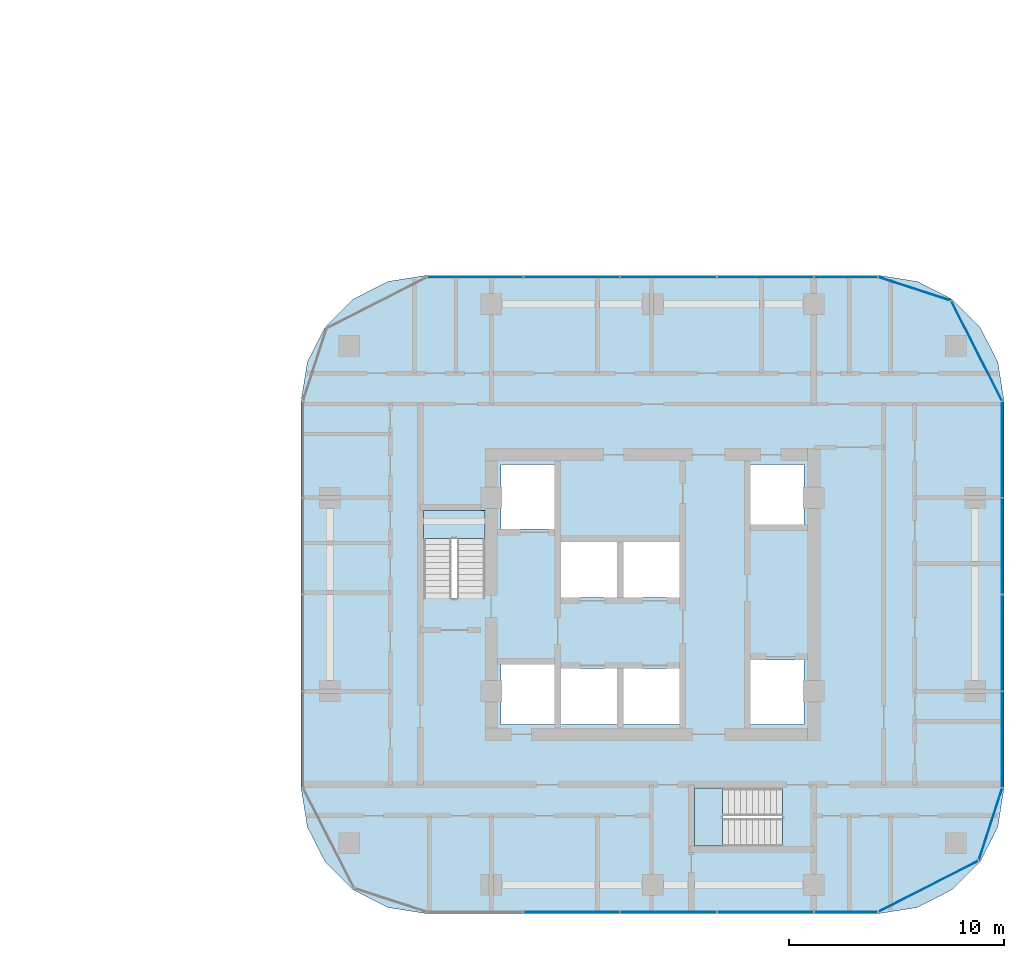
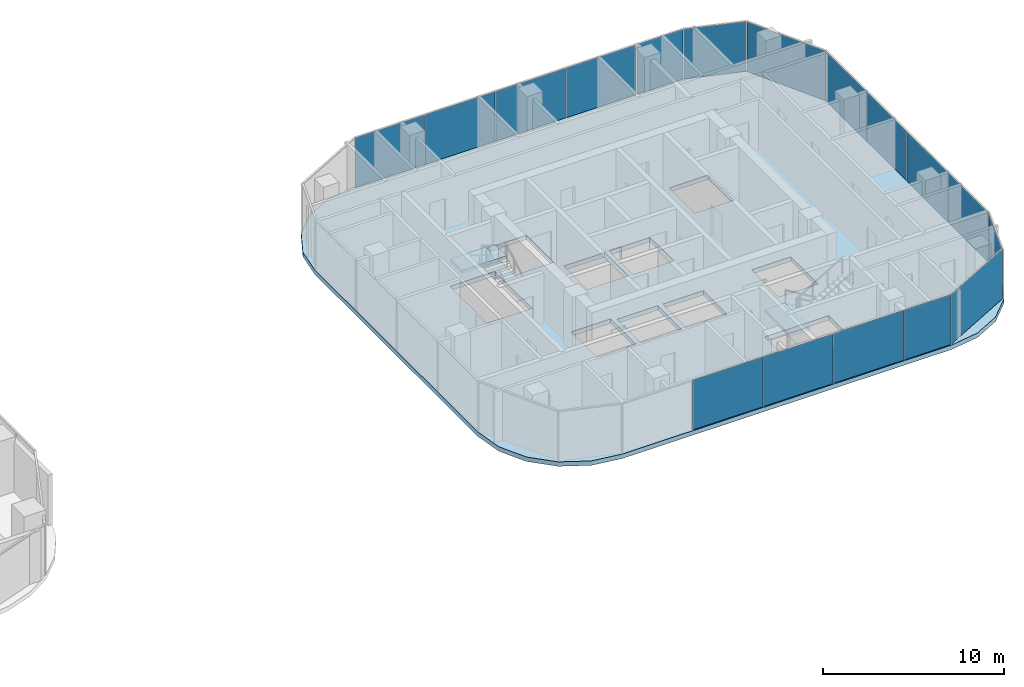
# One storey, part 17 of 36: 17 plates, 3 slabs, 7 elements without a shape of their own.
"""IFC4 building model written with IfcOpenShell, lengths in metres."""

from ifc_helpers import new_model, si_unit, direction, frame, origin, origin_2d, place, context, subcontext, project, spatial, polyline, rectangle, outline, extrude, material, layer, layer_set, type_object, element, aggregate, save


model = new_model("IFC4")

# Units and contexts
model_context = context("Model", 3, precision=1e-05, world=origin(), true_north=direction((0.0, 1.0)))
body_context = subcontext(model_context, "Body", "Model", "MODEL_VIEW")
ifc_project = project(units=[si_unit("LENGTHUNIT", "METRE"), si_unit("AREAUNIT", "SQUARE_METRE"), si_unit("VOLUMEUNIT", "CUBIC_METRE"), si_unit("PLANEANGLEUNIT", "RADIAN"), si_unit("MASSUNIT", "GRAM", prefix="KILO")], contexts=[model_context])

# Site, building, storey
site_placement = place(None, origin())
site = spatial("IfcSite", under=ifc_project, at=site_placement, CompositionType="ELEMENT")
building_placement = place(site_placement, origin())
building = spatial("IfcBuilding", under=site, at=building_placement, Name="Ogive Portal Towers", CompositionType="ELEMENT")
storey_placement = place(building_placement, frame((0.0, 0.0, 48.300048828125)))
storey = spatial("IfcBuildingStorey", under=building, at=storey_placement, Name="L10", CompositionType="ELEMENT", Elevation=48.300048828125)

# Curtain wall, plates
ifc_material_1 = material(Name="Glass, clear low-iron insulated glazing", Category="glass")
curtain_wall_type = type_object("IfcCurtainWallType", Name="CW RESIDENCES RIBBON", PredefinedType="NOTDEFINED", material=ifc_material_1)
curtain_wall_1_placement = place(storey_placement, origin())
curtain_wall_1 = element("IfcCurtainWall", 1, at=curtain_wall_1_placement, inside=storey, type_object=curtain_wall_type, Name="B:L10:f02:cw0", PredefinedType="NOTDEFINED")
ifc_layer_1 = layer(ifc_material_1, 0.028076171875)
ifc_layer_set_1 = layer_set([ifc_layer_1], Name="CW PANEL IGU 28")
plate_type = type_object("IfcPlateType", Name="CW PANEL IGU 28", PredefinedType="CURTAIN_PANEL", material=ifc_layer_set_1)
plate_1_placement = place(storey_placement, frame((132.75, 16.2451171875, 0.0), z_axis=(0.0, 0.0, 1.0), x_axis=(1.0, 0.0, 0.0)))
plate_1 = element("IfcPlate", 2, at=plate_1_placement, type_object=plate_type, Name="panel", PredefinedType="CURTAIN_PANEL", context=body_context, shape_type="SweptSolid", body=[
    extrude(rectangle(XDim=4.43994140625, YDim=0.028076171875, at=origin_2d()), origin(), (0.0, 0.0, 1.0), 3.340087890625),
])
plate_2_placement = place(storey_placement, frame((137.25, 16.2451171875, 0.0), z_axis=(0.0, 0.0, 1.0), x_axis=(1.0, 0.0, 0.0)))
plate_2 = element("IfcPlate", 3, at=plate_2_placement, type_object=plate_type, Name="panel", PredefinedType="CURTAIN_PANEL", context=body_context, shape_type="SweptSolid", body=[
    extrude(rectangle(XDim=4.43994140625, YDim=0.028076171875, at=origin_2d()), origin(), (0.0, 0.0, 1.0), 3.340087890625),
])
plate_3_placement = place(storey_placement, frame((141.75, 16.2451171875, 0.0), z_axis=(0.0, 0.0, 1.0), x_axis=(1.0, 0.0, 0.0)))
plate_3 = element("IfcPlate", 4, at=plate_3_placement, type_object=plate_type, Name="panel", PredefinedType="CURTAIN_PANEL", context=body_context, shape_type="SweptSolid", body=[
    extrude(rectangle(XDim=4.43994140625, YDim=0.028076171875, at=origin_2d()), origin(), (0.0, 0.0, 1.0), 3.340087890625),
])
plate_4_placement = place(storey_placement, frame((145.490478515625, 16.2451171875, 0.0), z_axis=(0.0, 0.0, 1.0), x_axis=(1.0, 0.0, 0.0)))
plate_4 = element("IfcPlate", 5, at=plate_4_placement, type_object=plate_type, Name="panel", PredefinedType="CURTAIN_PANEL", context=body_context, shape_type="SweptSolid", body=[
    extrude(rectangle(XDim=2.9208984375, YDim=0.028076171875, at=origin_2d()), origin(), (0.0, 0.0, 1.0), 3.340087890625),
])
aggregate(curtain_wall_1, [plate_1, plate_2, plate_3, plate_4])

curtain_wall_2_placement = place(storey_placement, origin())
curtain_wall_2 = element("IfcCurtainWall", 6, at=curtain_wall_2_placement, inside=storey, type_object=curtain_wall_type, Name="B:L10:f05:cw0", PredefinedType="NOTDEFINED")
plate_5_placement = place(storey_placement, frame((152.7548828125, 24.25634765625, 0.0), z_axis=(0.0, 0.0, 1.0), x_axis=(0.0, 1.0, 0.0)))
plate_5 = element("IfcPlate", 7, at=plate_5_placement, type_object=plate_type, Name="panel", PredefinedType="CURTAIN_PANEL", context=body_context, shape_type="SweptSolid", body=[
    extrude(rectangle(XDim=4.42724609375, YDim=0.028076171875, at=origin_2d()), origin(), (0.0, 0.0, 1.0), 3.340087890625),
])
plate_6_placement = place(storey_placement, frame((152.7548828125, 28.75, 0.0), z_axis=(0.0, 0.0, 1.0), x_axis=(0.0, 1.0, 0.0)))
plate_6 = element("IfcPlate", 8, at=plate_6_placement, type_object=plate_type, Name="panel", PredefinedType="CURTAIN_PANEL", context=body_context, shape_type="SweptSolid", body=[
    extrude(rectangle(XDim=4.43994140625, YDim=0.028076171875, at=origin_2d()), origin(), (0.0, 0.0, 1.0), 3.340087890625),
])
plate_7_placement = place(storey_placement, frame((152.7548828125, 33.25, 0.0), z_axis=(0.0, 0.0, 1.0), x_axis=(0.0, 1.0, 0.0)))
plate_7 = element("IfcPlate", 9, at=plate_7_placement, type_object=plate_type, Name="panel", PredefinedType="CURTAIN_PANEL", context=body_context, shape_type="SweptSolid", body=[
    extrude(rectangle(XDim=4.43994140625, YDim=0.028076171875, at=origin_2d()), origin(), (0.0, 0.0, 1.0), 3.340087890625),
])
plate_8_placement = place(storey_placement, frame((152.7548828125, 37.740478515625, 0.0), z_axis=(0.0, 0.0, 1.0), x_axis=(0.0, 1.0, 0.0)))
plate_8 = element("IfcPlate", 10, at=plate_8_placement, type_object=plate_type, Name="panel", PredefinedType="CURTAIN_PANEL", context=body_context, shape_type="SweptSolid", body=[
    extrude(rectangle(XDim=4.4208984375, YDim=0.028076171875, at=origin_2d()), origin(), (0.0, 0.0, 1.0), 3.340087890625),
])
aggregate(curtain_wall_2, [plate_5, plate_6, plate_7, plate_8])

curtain_wall_3_placement = place(storey_placement, origin())
curtain_wall_3 = element("IfcCurtainWall", 11, at=curtain_wall_3_placement, inside=storey, type_object=curtain_wall_type, Name="B:L10:f08:cw0", PredefinedType="NOTDEFINED")
plate_9_placement = place(storey_placement, frame((145.49365234375, 45.7548828125, 0.0), z_axis=(0.0, 0.0, 1.0), x_axis=(-1.0, 0.0, 0.0)))
plate_9 = element("IfcPlate", 12, at=plate_9_placement, type_object=plate_type, Name="panel", PredefinedType="CURTAIN_PANEL", context=body_context, shape_type="SweptSolid", body=[
    extrude(rectangle(XDim=2.92724609375, YDim=0.028076171875, at=origin_2d()), origin(), (0.0, 0.0, 1.0), 3.340087890625),
])
plate_10_placement = place(storey_placement, frame((141.75, 45.7548828125, 0.0), z_axis=(0.0, 0.0, 1.0), x_axis=(-1.0, 0.0, 0.0)))
plate_10 = element("IfcPlate", 13, at=plate_10_placement, type_object=plate_type, Name="panel", PredefinedType="CURTAIN_PANEL", context=body_context, shape_type="SweptSolid", body=[
    extrude(rectangle(XDim=4.43994140625, YDim=0.028076171875, at=origin_2d()), origin(), (0.0, 0.0, 1.0), 3.340087890625),
])
plate_11_placement = place(storey_placement, frame((137.25, 45.7548828125, 0.0), z_axis=(0.0, 0.0, 1.0), x_axis=(-1.0, 0.0, 0.0)))
plate_11 = element("IfcPlate", 14, at=plate_11_placement, type_object=plate_type, Name="panel", PredefinedType="CURTAIN_PANEL", context=body_context, shape_type="SweptSolid", body=[
    extrude(rectangle(XDim=4.43994140625, YDim=0.028076171875, at=origin_2d()), origin(), (0.0, 0.0, 1.0), 3.340087890625),
])
plate_12_placement = place(storey_placement, frame((132.75, 45.7548828125, 0.0), z_axis=(0.0, 0.0, 1.0), x_axis=(-1.0, 0.0, 0.0)))
plate_12 = element("IfcPlate", 15, at=plate_12_placement, type_object=plate_type, Name="panel", PredefinedType="CURTAIN_PANEL", context=body_context, shape_type="SweptSolid", body=[
    extrude(rectangle(XDim=4.43994140625, YDim=0.028076171875, at=origin_2d()), origin(), (0.0, 0.0, 1.0), 3.340087890625),
])
plate_13_placement = place(storey_placement, frame((128.259521484375, 45.7548828125, 0.0), z_axis=(0.0, 0.0, 1.0), x_axis=(-1.0, 0.0, 0.0)))
plate_13 = element("IfcPlate", 16, at=plate_13_placement, type_object=plate_type, Name="panel", PredefinedType="CURTAIN_PANEL", context=body_context, shape_type="SweptSolid", body=[
    extrude(rectangle(XDim=4.4208984375, YDim=0.028076171875, at=origin_2d()), origin(), (0.0, 0.0, 1.0), 3.340087890625),
])
aggregate(curtain_wall_3, [plate_9, plate_10, plate_11, plate_12, plate_13])

curtain_wall_4_placement = place(storey_placement, origin())
curtain_wall_4 = element("IfcCurtainWall", 17, at=curtain_wall_4_placement, inside=storey, type_object=curtain_wall_type, Name="B:L10:f03:cwa", PredefinedType="NOTDEFINED")
plate_14_placement = place(storey_placement, frame((149.31787109375, 17.435791015625, 0.0), z_axis=(0.0, 0.0, 1.0), x_axis=(0.891006524188, 0.45399049974, 0.0)))
plate_14 = element("IfcPlate", 18, at=plate_14_placement, type_object=plate_type, Name="panel", PredefinedType="CURTAIN_PANEL", context=body_context, shape_type="SweptSolid", body=[
    extrude(rectangle(XDim=5.185791015625, YDim=0.028076171875, at=origin_2d()), origin(), (0.0, 0.0, 1.0), 3.340087890625),
])
plate_15_placement = place(storey_placement, frame((152.204833984375, 20.319580078125, 0.0), z_axis=(0.0, 0.0, 1.0), x_axis=(0.309016994375, 0.951056516295, 0.0)))
plate_15 = element("IfcPlate", 19, at=plate_15_placement, type_object=plate_type, Name="panel", PredefinedType="CURTAIN_PANEL", context=body_context, shape_type="SweptSolid", body=[
    extrude(rectangle(XDim=3.50048828125, YDim=0.028076171875, at=origin_2d()), origin(), (0.0, 0.0, 1.0), 3.340087890625),
])
aggregate(curtain_wall_4, [plate_14, plate_15])

curtain_wall_5_placement = place(storey_placement, origin())
curtain_wall_5 = element("IfcCurtainWall", 20, at=curtain_wall_5_placement, inside=storey, type_object=curtain_wall_type, Name="B:L10:f06:cwa", PredefinedType="NOTDEFINED")
plate_16_placement = place(storey_placement, frame((151.564208984375, 42.31787109375, 0.0), z_axis=(0.0, 0.0, 1.0), x_axis=(-0.45399049974, 0.891006524188, 0.0)))
plate_16 = element("IfcPlate", 21, at=plate_16_placement, type_object=plate_type, Name="panel", PredefinedType="CURTAIN_PANEL", context=body_context, shape_type="SweptSolid", body=[
    extrude(rectangle(XDim=5.185791015625, YDim=0.028076171875, at=origin_2d()), origin(), (0.0, 0.0, 1.0), 3.340087890625),
])
plate_17_placement = place(storey_placement, frame((148.680419921875, 45.204833984375, 0.0), z_axis=(0.0, 0.0, 1.0), x_axis=(-0.951056516295, 0.309016994375, 0.0)))
plate_17 = element("IfcPlate", 22, at=plate_17_placement, type_object=plate_type, Name="panel", PredefinedType="CURTAIN_PANEL", context=body_context, shape_type="SweptSolid", body=[
    extrude(rectangle(XDim=3.50048828125, YDim=0.028076171875, at=origin_2d()), origin(), (0.0, 0.0, 1.0), 3.340087890625),
])
aggregate(curtain_wall_5, [plate_16, plate_17])

# Stair, slab
ifc_material_2 = material(Name="Concrete C40/50", Category="concrete")
stair_type = type_object("IfcStairType", Name="INT-STAIR", PredefinedType="HALF_TURN_STAIR", material=ifc_material_2)
stair_1_placement = place(storey_placement, origin())
stair_1 = element("IfcStair", 23, at=stair_1_placement, inside=storey, type_object=stair_type, Name="L10 Exit Stair ST-B1", PredefinedType="HALF_TURN_STAIR")
ifc_layer_2 = layer(ifc_material_2, 0.199951171875)
ifc_layer_set_2 = layer_set([ifc_layer_2], Name="INT-LANDING")
slab_type_1 = type_object("IfcSlabType", Name="INT-LANDING", PredefinedType="LANDING", material=ifc_layer_set_2)
slab_1_placement = place(storey_placement, frame((0.0, 0.0, 1.64990234375)))
slab_1 = element("IfcSlab", 24, at=slab_1_placement, type_object=slab_type_1, Name="ST-B1 landing 1", PredefinedType="LANDING", context=body_context, shape_type="SweptSolid", body=[
    extrude(outline(polyline([(128.699951171875, 33.60009765625), (128.699951171875, 34.89990234375), (125.85009765625, 34.89990234375), (125.85009765625, 33.60009765625), (128.699951171875, 33.60009765625)])), origin(), (0.0, 0.0, 1.0), 0.199951171875),
])
aggregate(stair_1, [slab_1])

stair_2_placement = place(storey_placement, origin())
stair_2 = element("IfcStair", 25, at=stair_2_placement, inside=storey, type_object=stair_type, Name="L10 Exit Stair ST-B2", PredefinedType="HALF_TURN_STAIR")
slab_2_placement = place(storey_placement, frame((0.0, 0.0, 1.64990234375)))
slab_2 = element("IfcSlab", 26, at=slab_2_placement, type_object=slab_type_1, Name="ST-B2 landing 1", PredefinedType="LANDING", context=body_context, shape_type="SweptSolid", body=[
    extrude(outline(polyline([(139.75, 22.0), (138.449951171875, 22.0), (138.449951171875, 19.300048828125), (139.75, 19.300048828125), (139.75, 22.0)])), origin(), (0.0, 0.0, 1.0), 0.199951171875),
])
aggregate(stair_2, [slab_2])

# Slab
ifc_material_3 = material(Name="Concrete C45/55", Category="concrete")
ifc_layer_3 = layer(ifc_material_3, 0.300048828125)
ifc_layer_set_3 = layer_set([ifc_layer_3], Name="PT FLAT PLATE 300")
slab_type_2 = type_object("IfcSlabType", Name="PT FLAT PLATE 300", PredefinedType="FLOOR", material=ifc_layer_set_3)
slab_3_placement = place(storey_placement, frame((0.0, 0.0, -0.300048828125)))
element("IfcSlab", 27, at=slab_3_placement, inside=storey, type_object=slab_type_2, Name="Floor slab L10", PredefinedType="FLOOR", context=body_context, shape_type="SweptSolid", body=[
    extrude(outline(polyline([(120.1650390625, 40.0), (120.1650390625, 22.0), (120.45068359375, 20.197021484375), (121.279296875, 18.5703125), (122.5703125, 17.279296875), (124.197021484375, 16.45068359375), (126.0, 16.1650390625), (147.0, 16.1650390625), (148.802978515625, 16.45068359375), (150.4296875, 17.279296875), (151.720703125, 18.5703125), (152.54931640625, 20.197021484375), (152.8349609375, 22.0), (152.8349609375, 40.0), (152.54931640625, 41.802978515625), (151.720703125, 43.4296875), (150.4296875, 44.720703125), (148.802978515625, 45.54931640625), (147.0, 45.8349609375), (126.0, 45.8349609375), (124.197021484375, 45.54931640625), (122.5703125, 44.720703125), (121.279296875, 43.4296875), (120.45068359375, 41.802978515625), (120.1650390625, 40.0)]), holes=[polyline([(131.949951171875, 27.75), (131.949951171875, 24.949951171875), (129.449951171875, 24.949951171875), (129.449951171875, 27.75), (131.949951171875, 27.75)]), polyline([(128.697998046875, 34.89794921875), (128.697998046875, 30.802001953125), (125.85205078125, 30.802001953125), (125.85205078125, 34.89794921875), (128.697998046875, 34.89794921875)]), polyline([(131.949951171875, 37.050048828125), (131.949951171875, 34.050048828125), (129.449951171875, 34.050048828125), (129.449951171875, 37.050048828125), (131.949951171875, 37.050048828125)]), polyline([(138.451904296875, 21.998046875), (142.548095703125, 21.998046875), (142.548095703125, 19.302001953125), (138.451904296875, 19.302001953125), (138.451904296875, 21.998046875)]), polyline([(134.85009765625, 27.550048828125), (134.85009765625, 24.949951171875), (132.25, 24.949951171875), (132.25, 27.550048828125), (134.85009765625, 27.550048828125)]), polyline([(137.75, 27.550048828125), (137.75, 24.949951171875), (135.14990234375, 24.949951171875), (135.14990234375, 27.550048828125), (137.75, 27.550048828125)]), polyline([(143.550048828125, 27.949951171875), (143.550048828125, 24.949951171875), (141.050048828125, 24.949951171875), (141.050048828125, 27.949951171875), (143.550048828125, 27.949951171875)]), polyline([(134.85009765625, 33.449951171875), (134.85009765625, 30.85009765625), (132.25, 30.85009765625), (132.25, 33.449951171875), (134.85009765625, 33.449951171875)]), polyline([(137.75, 33.449951171875), (137.75, 30.85009765625), (135.14990234375, 30.85009765625), (135.14990234375, 33.449951171875), (137.75, 33.449951171875)]), polyline([(141.050048828125, 37.050048828125), (143.550048828125, 37.050048828125), (143.550048828125, 34.25), (141.050048828125, 34.25), (141.050048828125, 37.050048828125)])]), origin(), (0.0, 0.0, 1.0), 0.300048828125),
])

save(model, "model.ifc")
